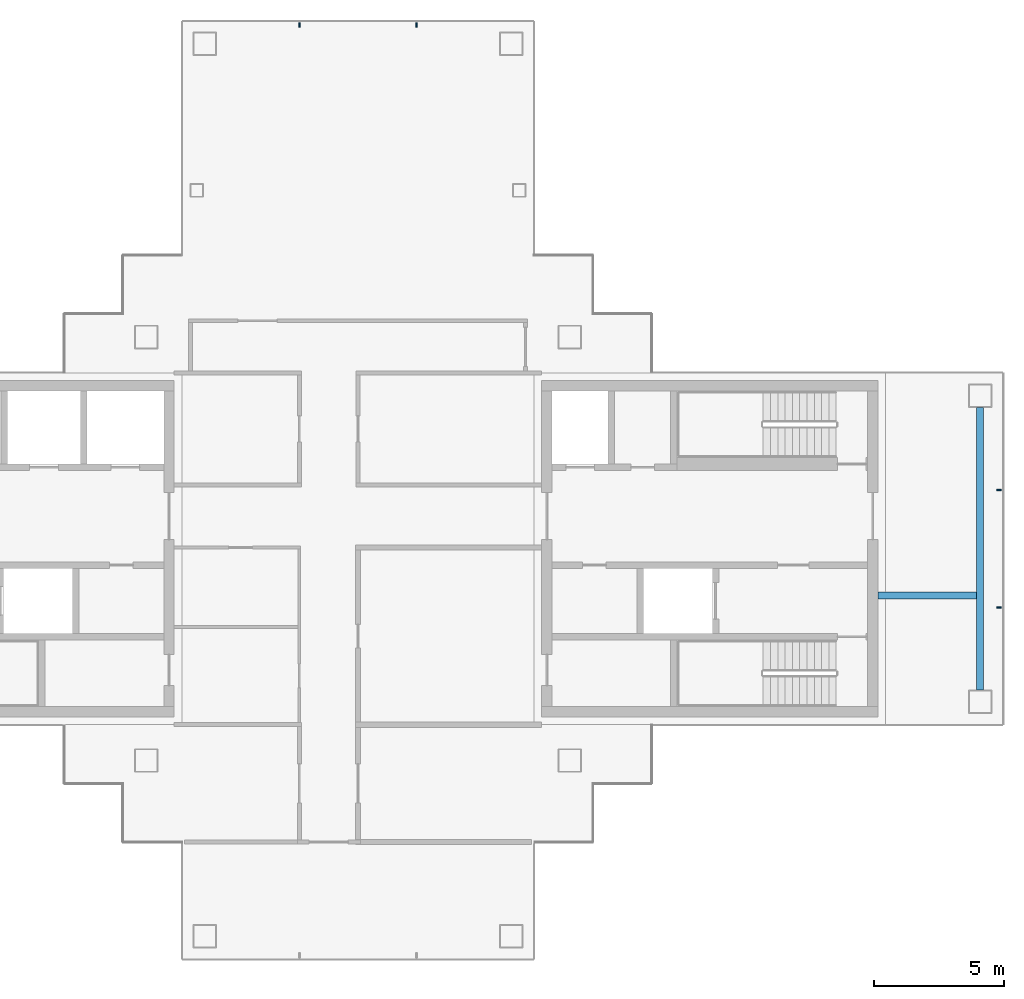
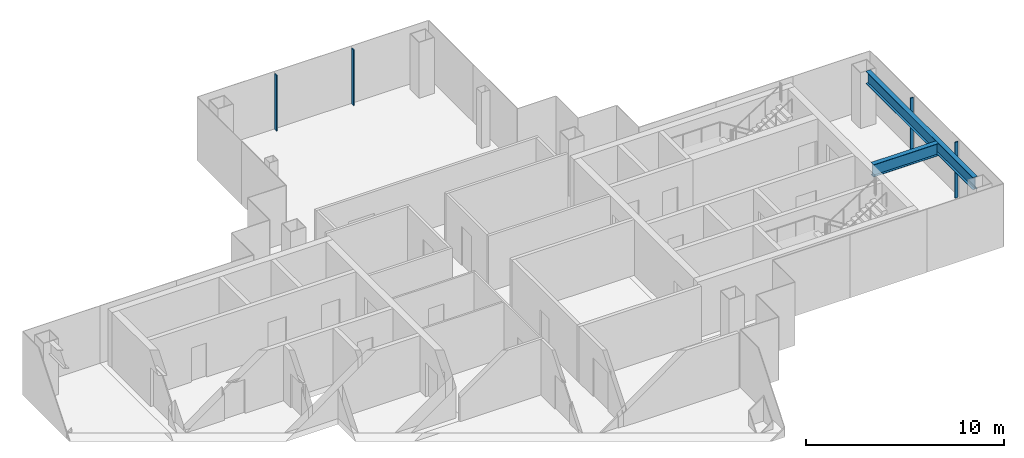
# One storey, part 6 of 15: 4 members, 2 beams, 2 elements without a shape of their own.
"""IFC4 building model written with IfcOpenShell, lengths in metres."""

from ifc_helpers import new_model, si_unit, direction, frame, origin, origin_2d, place, context, subcontext, project, spatial, rectangle, i_section, extrude, material, layer, layer_set, material_profile, profile_set, type_object, element, aggregate, save


model = new_model("IFC4")

# Units and contexts
model_context = context("Model", 3, precision=1e-05, world=origin(), true_north=direction((0.0, 1.0)))
body_context = subcontext(model_context, "Body", "Model", "MODEL_VIEW")
ifc_project = project(units=[si_unit("LENGTHUNIT", "METRE"), si_unit("AREAUNIT", "SQUARE_METRE"), si_unit("VOLUMEUNIT", "CUBIC_METRE"), si_unit("PLANEANGLEUNIT", "RADIAN"), si_unit("MASSUNIT", "GRAM", prefix="KILO")], contexts=[model_context])

# Site, building, storey
site_placement = place(None, origin())
site = spatial("IfcSite", under=ifc_project, at=site_placement, CompositionType="ELEMENT")
building_placement = place(site_placement, origin())
building = spatial("IfcBuilding", under=site, at=building_placement, Name="Shamsa Quay Exchange Towers", CompositionType="ELEMENT")
storey_placement = place(building_placement, frame((0.0, 0.0, 269.39990234375)))
storey = spatial("IfcBuildingStorey", under=building, at=storey_placement, Name="L65", CompositionType="ELEMENT", Elevation=269.39990234375)

# Curtain wall, members
ifc_material_1 = material(Name="Aluminium EN AW-6063 T6, black anodised", Category="aluminium")
ifc_layer = layer(ifc_material_1, 0.280029296875)
ifc_layer_set = layer_set([ifc_layer], Name="CW-1 UNITISED VISION GLASS")
curtain_wall_type = type_object("IfcCurtainWallType", Name="CW-1 UNITISED VISION GLASS", PredefinedType="NOTDEFINED", material=ifc_layer_set)
curtain_wall_1_placement = place(storey_placement, origin())
curtain_wall_1 = element("IfcCurtainWall", 1, at=curtain_wall_1_placement, inside=storey, type_object=curtain_wall_type, Name="CW1 T2-END-V- L65", PredefinedType="NOTDEFINED")
ifc_material_profile_1 = material_profile(ifc_material_1, rectangle(XDim=0.179931640625, YDim=0.06005859375, at=origin_2d()), Name="MU60x180")
ifc_profile_set_1 = profile_set([ifc_material_profile_1], Name="Aluminium EN AW-6063 T6, black anodised")
member_type = type_object("IfcMemberType", Name="CW1 MULLION 60x180", PredefinedType="MULLION", material=ifc_profile_set_1)
member_1_placement = place(storey_placement, frame((58.35009765625, -2.25, 0.0), z_axis=(0.0, 0.0, 1.0), x_axis=(-1.0, 0.0, 0.0)))
member_1 = element("IfcMember", 2, at=member_1_placement, type_object=member_type, Name="CW1 mullion", PredefinedType="MULLION", context=body_context, shape_type="SweptSolid", body=[
    extrude(rectangle(XDim=0.179931640625, YDim=0.06005859375, at=origin_2d()), origin(), (0.0, 0.0, 1.0), 3.4501953125),
])
member_2_placement = place(storey_placement, frame((58.35009765625, 2.25, 0.0), z_axis=(0.0, 0.0, 1.0), x_axis=(-1.0, 0.0, 0.0)))
member_2 = element("IfcMember", 3, at=member_2_placement, type_object=member_type, Name="CW1 mullion", PredefinedType="MULLION", context=body_context, shape_type="SweptSolid", body=[
    extrude(rectangle(XDim=0.179931640625, YDim=0.06005859375, at=origin_2d()), origin(), (0.0, 0.0, 1.0), 3.4501953125),
])
aggregate(curtain_wall_1, [member_1, member_2])

curtain_wall_2_placement = place(storey_placement, origin())
curtain_wall_2 = element("IfcCurtainWall", 4, at=curtain_wall_2_placement, inside=storey, type_object=curtain_wall_type, Name="CW1 T2-END-U+ L65", PredefinedType="NOTDEFINED")
member_3_placement = place(storey_placement, frame((36.0, 20.10009765625, 0.0), z_axis=(0.0, 0.0, 1.0), x_axis=(0.0, -1.0, 0.0)))
member_3 = element("IfcMember", 5, at=member_3_placement, type_object=member_type, Name="CW1 mullion", PredefinedType="MULLION", context=body_context, shape_type="SweptSolid", body=[
    extrude(rectangle(XDim=0.179931640625, YDim=0.06005859375, at=origin_2d()), origin(), (0.0, 0.0, 1.0), 3.4501953125),
])
member_4_placement = place(storey_placement, frame((31.5, 20.10009765625, 0.0), z_axis=(0.0, 0.0, 1.0), x_axis=(0.0, -1.0, 0.0)))
member_4 = element("IfcMember", 6, at=member_4_placement, type_object=member_type, Name="CW1 mullion", PredefinedType="MULLION", context=body_context, shape_type="SweptSolid", body=[
    extrude(rectangle(XDim=0.179931640625, YDim=0.06005859375, at=origin_2d()), origin(), (0.0, 0.0, 1.0), 3.4501953125),
])
aggregate(curtain_wall_2, [member_3, member_4])

# Beams
ifc_material_2 = material(Name="Steel S355", Category="steel")
ifc_material_profile_2 = material_profile(ifc_material_2, i_section(OverallWidth=0.26611328125, OverallDepth=0.7578125, WebThickness=0.013916015625, FlangeThickness=0.019287109375, at=origin_2d()), Name="W30x108")
ifc_profile_set_2 = profile_set([ifc_material_profile_2], Name="Steel S355")
beam_type = type_object("IfcBeamType", Name="End-zone beam W30x108", PredefinedType="BEAM", material=ifc_profile_set_2)
beam_1_placement = place(storey_placement, frame((57.625, -5.425048828125, 3.0712890625), z_axis=(0.0, 1.0, 0.0), x_axis=(-1.0, 0.0, 0.0)))
element("IfcBeam", 7, at=beam_1_placement, inside=storey, type_object=beam_type, Name="End beam T2 V- end zone L65", PredefinedType="BEAM", context=body_context, shape_type="SweptSolid", body=[
    extrude(i_section(OverallWidth=0.26611328125, OverallDepth=0.7578125, WebThickness=0.013916015625, FlangeThickness=0.019287109375, at=origin_2d()), origin(), (0.0, 0.0, 1.0), 10.85009765625),
])
beam_2_placement = place(storey_placement, frame((53.699951171875, -1.800048828125, 3.0712890625), z_axis=(1.0, 0.0, 0.0), x_axis=(0.0, 1.0, 0.0)))
element("IfcBeam", 8, at=beam_2_placement, inside=storey, type_object=beam_type, Name="Spine beam T2 V- end zone L65", PredefinedType="BEAM", context=body_context, shape_type="SweptSolid", body=[
    extrude(i_section(OverallWidth=0.26611328125, OverallDepth=0.7578125, WebThickness=0.013916015625, FlangeThickness=0.019287109375, at=origin_2d()), origin(), (0.0, 0.0, 1.0), 3.7919921875),
])

save(model, "model.ifc")
